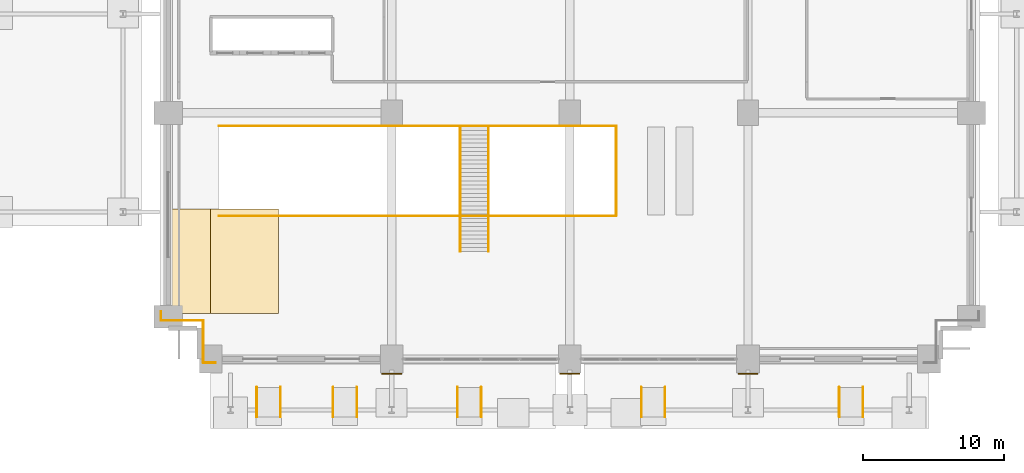
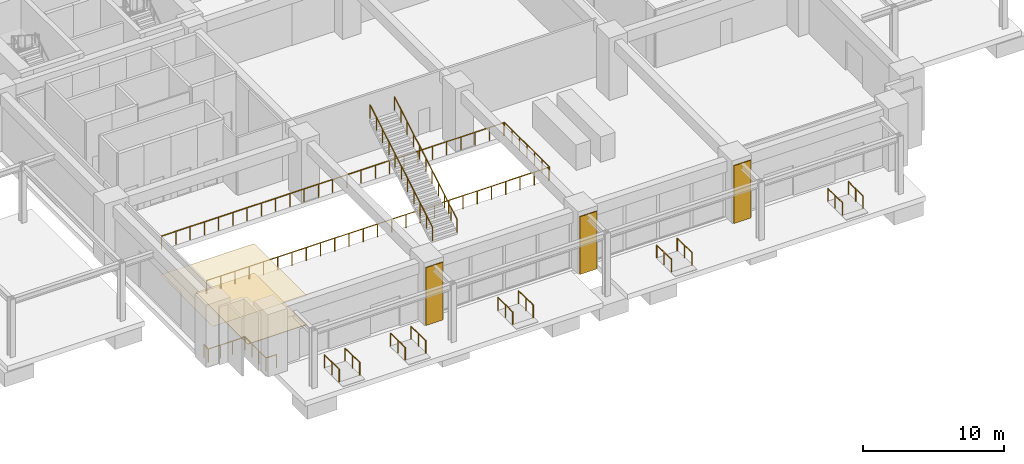
# One storey, part 9 of 14: 19 railings, 5 coverings.
"""IFC4 building model written with IfcOpenShell, lengths in metres."""

from ifc_helpers import new_model, si_unit, direction, frame, origin, origin_2d, place, context, subcontext, project, spatial, polyline, circle, outline, extrude, material, layer, layer_set, type_object, element, save


model = new_model("IFC4")

# Units and contexts
model_context = context("Model", 3, precision=1e-05, world=origin(), true_north=direction((0.0, 1.0)))
body_context = subcontext(model_context, "Body", "Model", "MODEL_VIEW")
ifc_project = project(units=[si_unit("LENGTHUNIT", "METRE"), si_unit("AREAUNIT", "SQUARE_METRE"), si_unit("VOLUMEUNIT", "CUBIC_METRE"), si_unit("PLANEANGLEUNIT", "RADIAN"), si_unit("MASSUNIT", "GRAM", prefix="KILO")], contexts=[model_context])

# Site, building, storey
site_placement = place(None, origin())
site = spatial("IfcSite", under=ifc_project, at=site_placement, CompositionType="ELEMENT")
building_placement = place(site_placement, origin())
building = spatial("IfcBuilding", under=site, at=building_placement, Name="Sulina Concourse Tower", CompositionType="ELEMENT")
storey_placement = place(building_placement, origin())
storey = spatial("IfcBuildingStorey", under=building, at=storey_placement, Name="L00", CompositionType="ELEMENT", Elevation=0.0)

# Coverings
ifc_material_1 = material(Name="Reconstituted architectural stone finish", Category="masonry")
ifc_layer_1 = layer(ifc_material_1, 0.080078125)
ifc_layer_set_1 = layer_set([ifc_layer_1], Name="Reconstituted architectural stone finish")
covering_type_1 = type_object("IfcCoveringType", Name="Board-Marked Architectural Precast Cladding 80mm", PredefinedType="CLADDING", material=ifc_layer_set_1)
covering_1_placement = place(storey_placement, origin())
element("IfcCovering", 1, at=covering_1_placement, inside=storey, type_object=covering_type_1, Name="L00 architectural precast pier cladding 1", PredefinedType="CLADDING", context=body_context, shape_type="SweptSolid", body=[
    extrude(outline(polyline([(15.699951171875, -0.47998046875), (17.10009765625, -0.47998046875), (17.10009765625, -0.39990234375), (15.699951171875, -0.39990234375), (15.699951171875, -0.47998046875)])), origin(), (0.0, 0.0, 1.0), 5.0),
])
covering_2_placement = place(storey_placement, origin())
element("IfcCovering", 2, at=covering_2_placement, inside=storey, type_object=covering_type_1, Name="L00 architectural precast pier cladding 2", PredefinedType="CLADDING", context=body_context, shape_type="SweptSolid", body=[
    extrude(outline(polyline([(28.300048828125, -0.47998046875), (29.699951171875, -0.47998046875), (29.699951171875, -0.39990234375), (28.300048828125, -0.39990234375), (28.300048828125, -0.47998046875)])), origin(), (0.0, 0.0, 1.0), 5.0),
])
covering_3_placement = place(storey_placement, origin())
element("IfcCovering", 3, at=covering_3_placement, inside=storey, type_object=covering_type_1, Name="L00 architectural precast pier cladding 3", PredefinedType="CLADDING", context=body_context, shape_type="SweptSolid", body=[
    extrude(outline(polyline([(40.89990234375, -0.47998046875), (42.300048828125, -0.47998046875), (42.300048828125, -0.39990234375), (40.89990234375, -0.39990234375), (40.89990234375, -0.47998046875)])), origin(), (0.0, 0.0, 1.0), 5.0),
])

# Railings
ifc_material_2 = material(Name="Laminated glass balustrade and bronze rail", Category="glass")
railing_type_1 = type_object("IfcRailingType", Name="Concourse & Sky-Lobby Mezzanine Balustrade 1150mm", PredefinedType="BALUSTRADE", material=ifc_material_2)
for number, where, name in (
    (4, (21.25, 8.18994140625, 0.17431640625), "ST-CONC-1-L00 balustrade 1"),
    (5, (23.25, 8.18994140625, 0.17431640625), "ST-CONC-1-L00 balustrade 2"),
):
    element("IfcRailing", number, at=place(storey_placement, frame(where)), inside=storey, type_object=railing_type_1, Name=name, PredefinedType="BALUSTRADE", context=body_context, shape_type="SweptSolid", body=[
        extrude(circle(Radius=0.02392578125, at=origin_2d()), frame((0.0, 0.0, 1.1259765625), z_axis=(0.0, 0.861097671343, 0.508439573998), x_axis=(-1.0, 0.0, 0.0)), (0.0, 0.0, 1.0), 10.277587890625),
        extrude(circle(Radius=0.02099609375, at=origin_2d()), origin(), (0.0, 0.0, 1.0), 1.101806640625),
        extrude(circle(Radius=0.02099609375, at=origin_2d()), frame((0.0, 0.885009765625, 0.5224609375)), (0.0, 0.0, 1.0), 1.101806640625),
        extrude(circle(Radius=0.02099609375, at=origin_2d()), frame((0.0, 1.77001953125, 1.045166015625)), (0.0, 0.0, 1.0), 1.101806640625),
        extrude(circle(Radius=0.02099609375, at=origin_2d()), frame((0.0, 2.655029296875, 1.567626953125)), (0.0, 0.0, 1.0), 1.101806640625),
        extrude(circle(Radius=0.02099609375, at=origin_2d()), frame((0.0, 3.5400390625, 2.09033203125)), (0.0, 0.0, 1.0), 1.101806640625),
        extrude(circle(Radius=0.02099609375, at=origin_2d()), frame((0.0, 4.425048828125, 2.61279296875)), (0.0, 0.0, 1.0), 1.101806640625),
        extrude(circle(Radius=0.02099609375, at=origin_2d()), frame((0.0, 5.31005859375, 3.13525390625)), (0.0, 0.0, 1.0), 1.101806640625),
        extrude(circle(Radius=0.02099609375, at=origin_2d()), frame((0.0, 6.195068359375, 3.657958984375)), (0.0, 0.0, 1.0), 1.101806640625),
        extrude(circle(Radius=0.02099609375, at=origin_2d()), frame((0.0, 7.080078125, 4.180419921875)), (0.0, 0.0, 1.0), 1.101806640625),
        extrude(circle(Radius=0.02099609375, at=origin_2d()), frame((0.0, 7.965087890625, 4.703125)), (0.0, 0.0, 1.0), 1.101806640625),
        extrude(circle(Radius=0.02099609375, at=origin_2d()), frame((0.0, 8.85009765625, 5.2255859375)), (0.0, 0.0, 1.0), 1.101806640625),
    ])
ifc_material_3 = material(Name="Galvanised steel railing", Category="steel")
railing_type_2 = type_object("IfcRailingType", Name="Core Stair Steel Guardrail 1150mm", PredefinedType="GUARDRAIL", material=ifc_material_3)
railing_1_placement = place(storey_placement, frame((3.949951171875, 0.330078125, 0.0)))
element("IfcRailing", 6, at=railing_1_placement, inside=storey, type_object=railing_type_2, Name="L00 perimeter edge safety guardrail SW1", PredefinedType="GUARDRAIL", context=body_context, shape_type="SweptSolid", body=[
    extrude(circle(Radius=0.02392578125, at=origin_2d()), frame((0.0, 0.0, 1.1259765625), z_axis=(-1.0, 0.0, 0.0), x_axis=(0.0, -1.0, 0.0)), (0.0, 0.0, 1.0), 0.869873046875),
    extrude(circle(Radius=0.02099609375, at=origin_2d()), origin(), (0.0, 0.0, 1.0), 1.101806640625),
    extrude(circle(Radius=0.02099609375, at=origin_2d()), frame((-0.869873046875, 0.0, 0.0)), (0.0, 0.0, 1.0), 1.101806640625),
])
railing_2_placement = place(storey_placement, frame((3.080078125, 0.330078125, 0.0)))
element("IfcRailing", 7, at=railing_2_placement, inside=storey, type_object=railing_type_2, Name="L00 perimeter edge safety guardrail SW2", PredefinedType="GUARDRAIL", context=body_context, shape_type="SweptSolid", body=[
    extrude(circle(Radius=0.02392578125, at=origin_2d()), frame((0.0, 0.0, 1.1259765625), z_axis=(0.0, 1.0, 0.0), x_axis=(-1.0, 0.0, 0.0)), (0.0, 0.0, 1.0), 3.0),
    extrude(circle(Radius=0.02099609375, at=origin_2d()), origin(), (0.0, 0.0, 1.0), 1.101806640625),
    extrude(circle(Radius=0.02099609375, at=origin_2d()), frame((0.0, 1.0, 0.0)), (0.0, 0.0, 1.0), 1.101806640625),
    extrude(circle(Radius=0.02099609375, at=origin_2d()), frame((0.0, 2.0, 0.0)), (0.0, 0.0, 1.0), 1.101806640625),
    extrude(circle(Radius=0.02099609375, at=origin_2d()), frame((0.0, 3.0, 0.0)), (0.0, 0.0, 1.0), 1.101806640625),
])
railing_3_placement = place(storey_placement, frame((3.080078125, 3.330078125, 0.0)))
element("IfcRailing", 8, at=railing_3_placement, inside=storey, type_object=railing_type_2, Name="L00 perimeter edge safety guardrail SW3", PredefinedType="GUARDRAIL", context=body_context, shape_type="SweptSolid", body=[
    extrude(circle(Radius=0.02392578125, at=origin_2d()), frame((0.0, 0.0, 1.1259765625), z_axis=(-1.0, 0.0, 0.0), x_axis=(0.0, -1.0, 0.0)), (0.0, 0.0, 1.0), 3.0),
    extrude(circle(Radius=0.02099609375, at=origin_2d()), origin(), (0.0, 0.0, 1.0), 1.101806640625),
    extrude(circle(Radius=0.02099609375, at=origin_2d()), frame((-1.0, 0.0, 0.0)), (0.0, 0.0, 1.0), 1.101806640625),
    extrude(circle(Radius=0.02099609375, at=origin_2d()), frame((-2.0, 0.0, 0.0)), (0.0, 0.0, 1.0), 1.101806640625),
    extrude(circle(Radius=0.02099609375, at=origin_2d()), frame((-3.0, 0.0, 0.0)), (0.0, 0.0, 1.0), 1.101806640625),
])
railing_4_placement = place(storey_placement, frame((0.080078125, 3.330078125, 0.0)))
element("IfcRailing", 9, at=railing_4_placement, inside=storey, type_object=railing_type_2, Name="L00 perimeter edge safety guardrail SW4", PredefinedType="GUARDRAIL", context=body_context, shape_type="SweptSolid", body=[
    extrude(circle(Radius=0.02392578125, at=origin_2d()), frame((0.0, 0.0, 1.1259765625), z_axis=(0.0, 1.0, 0.0), x_axis=(-1.0, 0.0, 0.0)), (0.0, 0.0, 1.0), 0.619873046875),
    extrude(circle(Radius=0.02099609375, at=origin_2d()), origin(), (0.0, 0.0, 1.0), 1.101806640625),
    extrude(circle(Radius=0.02099609375, at=origin_2d()), frame((0.0, 0.619873046875, 0.0)), (0.0, 0.0, 1.0), 1.101806640625),
])
railing_5_placement = place(storey_placement, frame((4.199951171875, 10.719970703125, 0.0)))
element("IfcRailing", 10, at=railing_5_placement, inside=storey, type_object=railing_type_2, Name="L00 ramp well edge guard RS", PredefinedType="GUARDRAIL", context=body_context, shape_type="SweptSolid", body=[
    extrude(circle(Radius=0.02392578125, at=origin_2d()), frame((0.0, 0.0, 1.1259765625), z_axis=(1.0, 0.0, 0.0), x_axis=(0.0, 1.0, 0.0)), (0.0, 0.0, 1.0), 28.0),
    extrude(circle(Radius=0.02099609375, at=origin_2d()), origin(), (0.0, 0.0, 1.0), 1.101806640625),
    extrude(circle(Radius=0.02099609375, at=origin_2d()), frame((1.166748046875, 0.0, 0.0)), (0.0, 0.0, 1.0), 1.101806640625),
    extrude(circle(Radius=0.02099609375, at=origin_2d()), frame((2.333251953125, 0.0, 0.0)), (0.0, 0.0, 1.0), 1.101806640625),
    extrude(circle(Radius=0.02099609375, at=origin_2d()), frame((3.5, 0.0, 0.0)), (0.0, 0.0, 1.0), 1.101806640625),
    extrude(circle(Radius=0.02099609375, at=origin_2d()), frame((4.666748046875, 0.0, 0.0)), (0.0, 0.0, 1.0), 1.101806640625),
    extrude(circle(Radius=0.02099609375, at=origin_2d()), frame((5.833251953125, 0.0, 0.0)), (0.0, 0.0, 1.0), 1.101806640625),
    extrude(circle(Radius=0.02099609375, at=origin_2d()), frame((7.0, 0.0, 0.0)), (0.0, 0.0, 1.0), 1.101806640625),
    extrude(circle(Radius=0.02099609375, at=origin_2d()), frame((8.166748046875, 0.0, 0.0)), (0.0, 0.0, 1.0), 1.101806640625),
    extrude(circle(Radius=0.02099609375, at=origin_2d()), frame((9.333251953125, 0.0, 0.0)), (0.0, 0.0, 1.0), 1.101806640625),
    extrude(circle(Radius=0.02099609375, at=origin_2d()), frame((10.5, 0.0, 0.0)), (0.0, 0.0, 1.0), 1.101806640625),
    extrude(circle(Radius=0.02099609375, at=origin_2d()), frame((11.666748046875, 0.0, 0.0)), (0.0, 0.0, 1.0), 1.101806640625),
    extrude(circle(Radius=0.02099609375, at=origin_2d()), frame((12.833251953125, 0.0, 0.0)), (0.0, 0.0, 1.0), 1.101806640625),
    extrude(circle(Radius=0.02099609375, at=origin_2d()), frame((14.0, 0.0, 0.0)), (0.0, 0.0, 1.0), 1.101806640625),
    extrude(circle(Radius=0.02099609375, at=origin_2d()), frame((15.166748046875, 0.0, 0.0)), (0.0, 0.0, 1.0), 1.101806640625),
    extrude(circle(Radius=0.02099609375, at=origin_2d()), frame((16.333251953125, 0.0, 0.0)), (0.0, 0.0, 1.0), 1.101806640625),
    extrude(circle(Radius=0.02099609375, at=origin_2d()), frame((17.5, 0.0, 0.0)), (0.0, 0.0, 1.0), 1.101806640625),
    extrude(circle(Radius=0.02099609375, at=origin_2d()), frame((18.666748046875, 0.0, 0.0)), (0.0, 0.0, 1.0), 1.101806640625),
    extrude(circle(Radius=0.02099609375, at=origin_2d()), frame((19.833251953125, 0.0, 0.0)), (0.0, 0.0, 1.0), 1.101806640625),
    extrude(circle(Radius=0.02099609375, at=origin_2d()), frame((21.0, 0.0, 0.0)), (0.0, 0.0, 1.0), 1.101806640625),
    extrude(circle(Radius=0.02099609375, at=origin_2d()), frame((22.166748046875, 0.0, 0.0)), (0.0, 0.0, 1.0), 1.101806640625),
    extrude(circle(Radius=0.02099609375, at=origin_2d()), frame((23.333251953125, 0.0, 0.0)), (0.0, 0.0, 1.0), 1.101806640625),
    extrude(circle(Radius=0.02099609375, at=origin_2d()), frame((24.5, 0.0, 0.0)), (0.0, 0.0, 1.0), 1.101806640625),
    extrude(circle(Radius=0.02099609375, at=origin_2d()), frame((25.666748046875, 0.0, 0.0)), (0.0, 0.0, 1.0), 1.101806640625),
    extrude(circle(Radius=0.02099609375, at=origin_2d()), frame((26.833251953125, 0.0, 0.0)), (0.0, 0.0, 1.0), 1.101806640625),
    extrude(circle(Radius=0.02099609375, at=origin_2d()), frame((28.0, 0.0, 0.0)), (0.0, 0.0, 1.0), 1.101806640625),
])
railing_6_placement = place(storey_placement, frame((4.199951171875, 17.080078125, 0.0)))
element("IfcRailing", 11, at=railing_6_placement, inside=storey, type_object=railing_type_2, Name="L00 ramp well edge guard RN", PredefinedType="GUARDRAIL", context=body_context, shape_type="SweptSolid", body=[
    extrude(circle(Radius=0.02392578125, at=origin_2d()), frame((0.0, 0.0, 1.1259765625), z_axis=(1.0, 0.0, 0.0), x_axis=(0.0, 1.0, 0.0)), (0.0, 0.0, 1.0), 28.0),
    extrude(circle(Radius=0.02099609375, at=origin_2d()), origin(), (0.0, 0.0, 1.0), 1.101806640625),
    extrude(circle(Radius=0.02099609375, at=origin_2d()), frame((1.166748046875, 0.0, 0.0)), (0.0, 0.0, 1.0), 1.101806640625),
    extrude(circle(Radius=0.02099609375, at=origin_2d()), frame((2.333251953125, 0.0, 0.0)), (0.0, 0.0, 1.0), 1.101806640625),
    extrude(circle(Radius=0.02099609375, at=origin_2d()), frame((3.5, 0.0, 0.0)), (0.0, 0.0, 1.0), 1.101806640625),
    extrude(circle(Radius=0.02099609375, at=origin_2d()), frame((4.666748046875, 0.0, 0.0)), (0.0, 0.0, 1.0), 1.101806640625),
    extrude(circle(Radius=0.02099609375, at=origin_2d()), frame((5.833251953125, 0.0, 0.0)), (0.0, 0.0, 1.0), 1.101806640625),
    extrude(circle(Radius=0.02099609375, at=origin_2d()), frame((7.0, 0.0, 0.0)), (0.0, 0.0, 1.0), 1.101806640625),
    extrude(circle(Radius=0.02099609375, at=origin_2d()), frame((8.166748046875, 0.0, 0.0)), (0.0, 0.0, 1.0), 1.101806640625),
    extrude(circle(Radius=0.02099609375, at=origin_2d()), frame((9.333251953125, 0.0, 0.0)), (0.0, 0.0, 1.0), 1.101806640625),
    extrude(circle(Radius=0.02099609375, at=origin_2d()), frame((10.5, 0.0, 0.0)), (0.0, 0.0, 1.0), 1.101806640625),
    extrude(circle(Radius=0.02099609375, at=origin_2d()), frame((11.666748046875, 0.0, 0.0)), (0.0, 0.0, 1.0), 1.101806640625),
    extrude(circle(Radius=0.02099609375, at=origin_2d()), frame((12.833251953125, 0.0, 0.0)), (0.0, 0.0, 1.0), 1.101806640625),
    extrude(circle(Radius=0.02099609375, at=origin_2d()), frame((14.0, 0.0, 0.0)), (0.0, 0.0, 1.0), 1.101806640625),
    extrude(circle(Radius=0.02099609375, at=origin_2d()), frame((15.166748046875, 0.0, 0.0)), (0.0, 0.0, 1.0), 1.101806640625),
    extrude(circle(Radius=0.02099609375, at=origin_2d()), frame((16.333251953125, 0.0, 0.0)), (0.0, 0.0, 1.0), 1.101806640625),
    extrude(circle(Radius=0.02099609375, at=origin_2d()), frame((17.5, 0.0, 0.0)), (0.0, 0.0, 1.0), 1.101806640625),
    extrude(circle(Radius=0.02099609375, at=origin_2d()), frame((18.666748046875, 0.0, 0.0)), (0.0, 0.0, 1.0), 1.101806640625),
    extrude(circle(Radius=0.02099609375, at=origin_2d()), frame((19.833251953125, 0.0, 0.0)), (0.0, 0.0, 1.0), 1.101806640625),
    extrude(circle(Radius=0.02099609375, at=origin_2d()), frame((21.0, 0.0, 0.0)), (0.0, 0.0, 1.0), 1.101806640625),
    extrude(circle(Radius=0.02099609375, at=origin_2d()), frame((22.166748046875, 0.0, 0.0)), (0.0, 0.0, 1.0), 1.101806640625),
    extrude(circle(Radius=0.02099609375, at=origin_2d()), frame((23.333251953125, 0.0, 0.0)), (0.0, 0.0, 1.0), 1.101806640625),
    extrude(circle(Radius=0.02099609375, at=origin_2d()), frame((24.5, 0.0, 0.0)), (0.0, 0.0, 1.0), 1.101806640625),
    extrude(circle(Radius=0.02099609375, at=origin_2d()), frame((25.666748046875, 0.0, 0.0)), (0.0, 0.0, 1.0), 1.101806640625),
    extrude(circle(Radius=0.02099609375, at=origin_2d()), frame((26.833251953125, 0.0, 0.0)), (0.0, 0.0, 1.0), 1.101806640625),
    extrude(circle(Radius=0.02099609375, at=origin_2d()), frame((28.0, 0.0, 0.0)), (0.0, 0.0, 1.0), 1.101806640625),
])
railing_7_placement = place(storey_placement, frame((32.280029296875, 10.719970703125, 0.0)))
element("IfcRailing", 12, at=railing_7_placement, inside=storey, type_object=railing_type_2, Name="L00 ramp well edge guard REND", PredefinedType="GUARDRAIL", context=body_context, shape_type="SweptSolid", body=[
    extrude(circle(Radius=0.02392578125, at=origin_2d()), frame((0.0, 0.0, 1.1259765625), z_axis=(0.0, 1.0, 0.0), x_axis=(-1.0, 0.0, 0.0)), (0.0, 0.0, 1.0), 6.360107421875),
    extrude(circle(Radius=0.02099609375, at=origin_2d()), origin(), (0.0, 0.0, 1.0), 1.101806640625),
    extrude(circle(Radius=0.02099609375, at=origin_2d()), frame((0.0, 1.06005859375, 0.0)), (0.0, 0.0, 1.0), 1.101806640625),
    extrude(circle(Radius=0.02099609375, at=origin_2d()), frame((0.0, 2.1201171875, 0.0)), (0.0, 0.0, 1.0), 1.101806640625),
    extrude(circle(Radius=0.02099609375, at=origin_2d()), frame((0.0, 3.18017578125, 0.0)), (0.0, 0.0, 1.0), 1.101806640625),
    extrude(circle(Radius=0.02099609375, at=origin_2d()), frame((0.0, 4.239990234375, 0.0)), (0.0, 0.0, 1.0), 1.101806640625),
    extrude(circle(Radius=0.02099609375, at=origin_2d()), frame((0.0, 5.300048828125, 0.0)), (0.0, 0.0, 1.0), 1.101806640625),
    extrude(circle(Radius=0.02099609375, at=origin_2d()), frame((0.0, 6.360107421875, 0.0)), (0.0, 0.0, 1.0), 1.101806640625),
])
for number, where, name in (
    (13, (6.860107421875, -3.5, 0.050048828125), "RMP-ACC-01 handrail 1"),
    (14, (8.5400390625, -3.5, 0.050048828125), "RMP-ACC-01 handrail 2"),
    (15, (12.260009765625, -3.5, 0.050048828125), "RMP-ACC-02 handrail 1"),
    (16, (13.93994140625, -3.5, 0.050048828125), "RMP-ACC-02 handrail 2"),
    (17, (21.06005859375, -3.5, 0.050048828125), "RMP-ACC-03 handrail 1"),
    (18, (22.739990234375, -3.5, 0.050048828125), "RMP-ACC-03 handrail 2"),
    (19, (34.06005859375, -3.5, 0.050048828125), "RMP-ACC-04 handrail 1"),
    (20, (35.739990234375, -3.5, 0.050048828125), "RMP-ACC-04 handrail 2"),
    (21, (48.06005859375, -3.5, 0.050048828125), "RMP-ACC-05 handrail 1"),
    (22, (49.739990234375, -3.5, 0.050048828125), "RMP-ACC-05 handrail 2"),
):
    element("IfcRailing", number, at=place(storey_placement, frame(where)), inside=storey, type_object=railing_type_2, Name=name, PredefinedType="GUARDRAIL", context=body_context, shape_type="SweptSolid", body=[
        extrude(circle(Radius=0.02392578125, at=origin_2d()), frame((0.0, 0.0, 1.09619140625), z_axis=(0.0, 0.999716146727, -0.023824902357), x_axis=(-1.0, 0.0, 0.0)), (0.0, 0.0, 1.0), 2.1005859375),
        extrude(circle(Radius=0.02099609375, at=origin_2d()), origin(), (0.0, 0.0, 1.0), 1.072021484375),
        extrude(circle(Radius=0.02099609375, at=origin_2d()), frame((0.0, 1.050048828125, -0.02490234375)), (0.0, 0.0, 1.0), 1.072021484375),
        extrude(circle(Radius=0.02099609375, at=origin_2d()), frame((0.0, 2.10009765625, -0.050048828125)), (0.0, 0.0, 1.0), 1.072021484375),
    ])

# Coverings
ifc_material_4 = material(Name="Polished granite flooring", Category="masonry")
ifc_layer_2 = layer(ifc_material_4, 0.044921875)
ifc_layer_set_2 = layer_set([ifc_layer_2], Name="Polished granite flooring")
covering_type_2 = type_object("IfcCoveringType", Name="Polished Granite & Raised Access Flooring 45mm", PredefinedType="FLOORING", material=ifc_layer_set_2)
covering_4_placement = place(storey_placement, origin())
element("IfcCovering", 23, at=covering_4_placement, inside=storey, type_object=covering_type_2, Name="L00 raised access floor finish", PredefinedType="FLOORING", context=body_context, shape_type="SweptSolid", body=[
    extrude(outline(polyline([(3.60009765625, 3.800048828125), (8.39990234375, 3.800048828125), (8.39990234375, 11.199951171875), (3.60009765625, 11.199951171875), (3.60009765625, 3.800048828125)])), origin(), (0.0, 0.0, 1.0), 0.044921875),
])
ifc_material_5 = material(Name="Acoustic mineral ceiling board")
ifc_layer_3 = layer(ifc_material_5, 0.02490234375)
ifc_layer_set_3 = layer_set([ifc_layer_3], Name="Acoustic mineral ceiling board")
covering_type_3 = type_object("IfcCoveringType", Name="Suspended Acoustic Mineral Ceiling 25mm", PredefinedType="CEILING", material=ifc_layer_set_3)
covering_5_placement = place(storey_placement, frame((0.0, 0.0, 2.550048828125)))
element("IfcCovering", 24, at=covering_5_placement, inside=storey, type_object=covering_type_3, Name="L00 suspended acoustic tile ceiling", PredefinedType="CEILING", context=body_context, shape_type="SweptSolid", body=[
    extrude(outline(polyline([(0.719970703125, 3.800048828125), (8.39990234375, 3.800048828125), (8.39990234375, 11.199951171875), (0.719970703125, 11.199951171875), (0.719970703125, 3.800048828125)])), origin(), (0.0, 0.0, 1.0), 0.02490234375),
])

save(model, "model.ifc")
